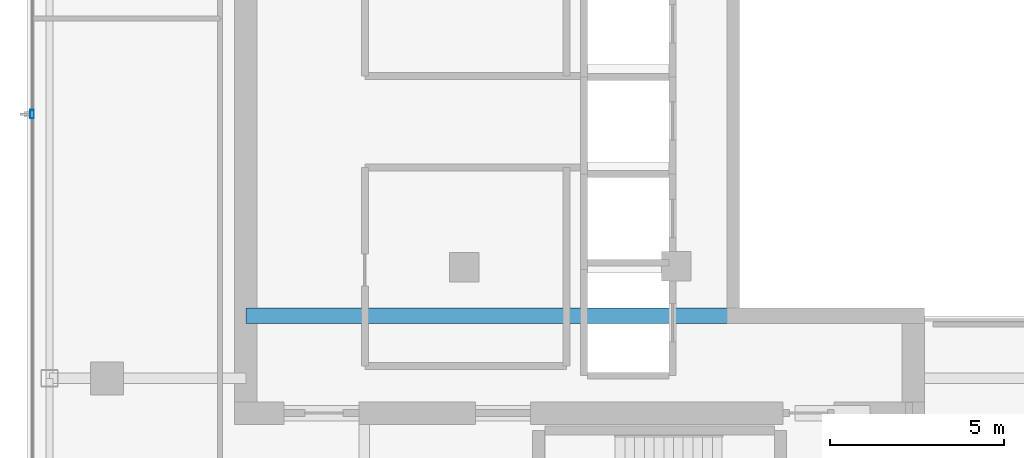
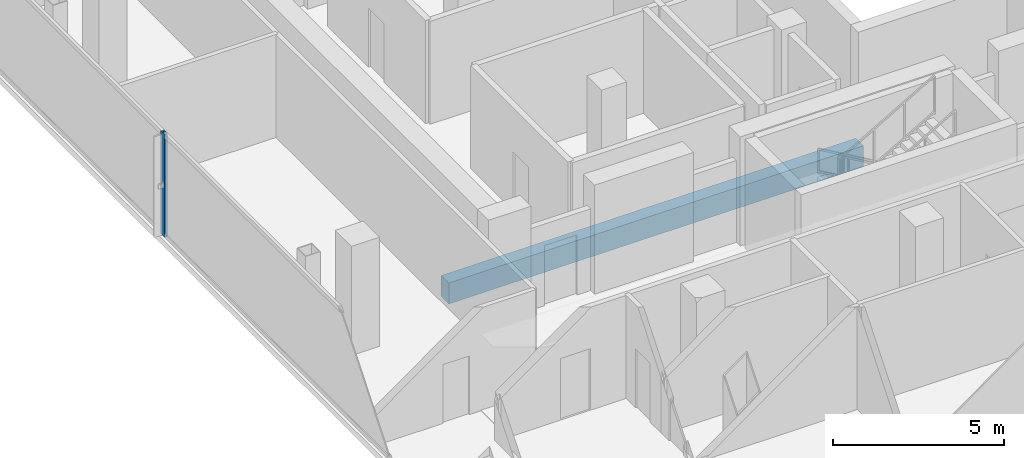
# One storey, part 6 of 26: 1 beam, 1 member, 1 element without a shape of its own.
"""IFC4 building model written with IfcOpenShell, lengths in metres."""

from ifc_helpers import new_model, si_unit, direction, frame, origin, origin_2d, place, context, subcontext, project, spatial, rectangle, hollow_rectangle, extrude, material, layer, layer_set, material_profile, profile_set, type_object, element, aggregate, save


model = new_model("IFC4")

# Units and contexts
model_context = context("Model", 3, precision=1e-05, world=origin(), true_north=direction((0.0, 1.0)))
body_context = subcontext(model_context, "Body", "Model", "MODEL_VIEW")
ifc_project = project(units=[si_unit("LENGTHUNIT", "METRE"), si_unit("AREAUNIT", "SQUARE_METRE"), si_unit("VOLUMEUNIT", "CUBIC_METRE"), si_unit("PLANEANGLEUNIT", "RADIAN"), si_unit("MASSUNIT", "GRAM", prefix="KILO")], contexts=[model_context])

# Site, building, storey
site_placement = place(None, origin())
site = spatial("IfcSite", under=ifc_project, at=site_placement, CompositionType="ELEMENT")
building_placement = place(site_placement, origin())
building = spatial("IfcBuilding", under=site, at=building_placement, Name="Khorvyn Point Tower", CompositionType="ELEMENT")
storey_placement = place(building_placement, frame((0.0, 0.0, 262.5)))
storey = spatial("IfcBuildingStorey", under=building, at=storey_placement, Name="L64", CompositionType="ELEMENT", Elevation=262.5)

# Curtain wall, member
ifc_material_1 = material(Name="Anodised aluminium 6063-T6 and laminated Low-E glass", Category="aluminium")
ifc_layer = layer(ifc_material_1, 0.18994140625)
ifc_layer_set = layer_set([ifc_layer], Name="Stick-Built High-Wind Curtain Wall CW-SYS-04")
curtain_wall_type = type_object("IfcCurtainWallType", Name="Stick-Built High-Wind Curtain Wall CW-SYS-04", PredefinedType="NOTDEFINED", material=ifc_layer_set)
curtain_wall_placement = place(storey_placement, origin())
curtain_wall = element("IfcCurtainWall", 1, at=curtain_wall_placement, inside=storey, type_object=curtain_wall_type, Name="Curtain Wall", PredefinedType="NOTDEFINED")
ifc_material_2 = material(Name="Anodised aluminium 6063-T6", Category="aluminium")
ifc_material_profile_1 = material_profile(ifc_material_2, hollow_rectangle(XDim=0.10009765625, YDim=0.239990234375, WallThickness=0.0048828125, at=origin_2d()))
ifc_profile_set_1 = profile_set([ifc_material_profile_1], Name="Anodised aluminium 6063-T6 ALU-MUL-100x240")
member_type = type_object("IfcMemberType", Name="Anodised Aluminium 6063-T6 Mullion ALU-MUL-100x240", PredefinedType="MULLION", material=ifc_profile_set_1)
member_placement = place(storey_placement, frame((-16.949951171875, 0.199951171875, 0.0), z_axis=(0.0, 0.0, 1.0), x_axis=(-1.0, 0.0, 0.0)))
member = element("IfcMember", 2, at=member_placement, type_object=member_type, Name="Transom", PredefinedType="MULLION", context=body_context, shape_type="SweptSolid", body=[
    extrude(hollow_rectangle(XDim=0.10009765625, YDim=0.239990234375, WallThickness=0.0048828125, at=origin_2d()), origin(), (0.0, 0.0, 1.0), 3.679931640625),
])
aggregate(curtain_wall, [member])

# Beam
ifc_material_3 = material(Name="Concrete C40/50", Category="concrete")
ifc_material_profile_2 = material_profile(ifc_material_3, rectangle(XDim=0.449951171875, YDim=0.75, at=origin_2d()))
ifc_profile_set_2 = profile_set([ifc_material_profile_2], Name="Concrete C40/50 RC450x750")
beam_type = type_object("IfcBeamType", Name="Concrete C40/50 Beam RC450x750", PredefinedType="BEAM", material=ifc_profile_set_2)
beam_placement = place(storey_placement, frame((-10.800048828125, -5.60009765625, -0.594970703125), z_axis=(1.0, 0.0, 0.0), x_axis=(0.0, 1.0, 0.0)))
element("IfcBeam", 3, at=beam_placement, inside=storey, type_object=beam_type, Name="L64 Core Internal Tie Girder S", PredefinedType="BEAM", context=body_context, shape_type="SweptSolid", body=[
    extrude(rectangle(XDim=0.449951171875, YDim=0.75, at=origin_2d()), origin(), (0.0, 0.0, 1.0), 14.02001953125),
])

save(model, "model.ifc")
